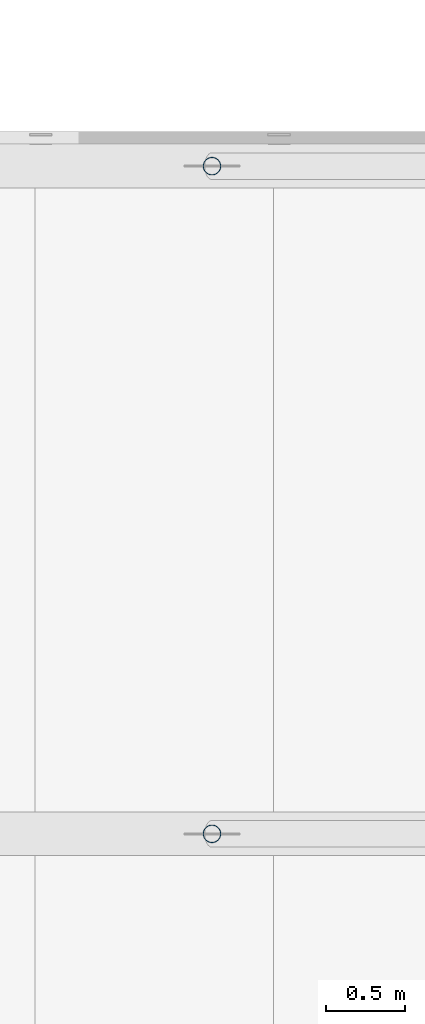
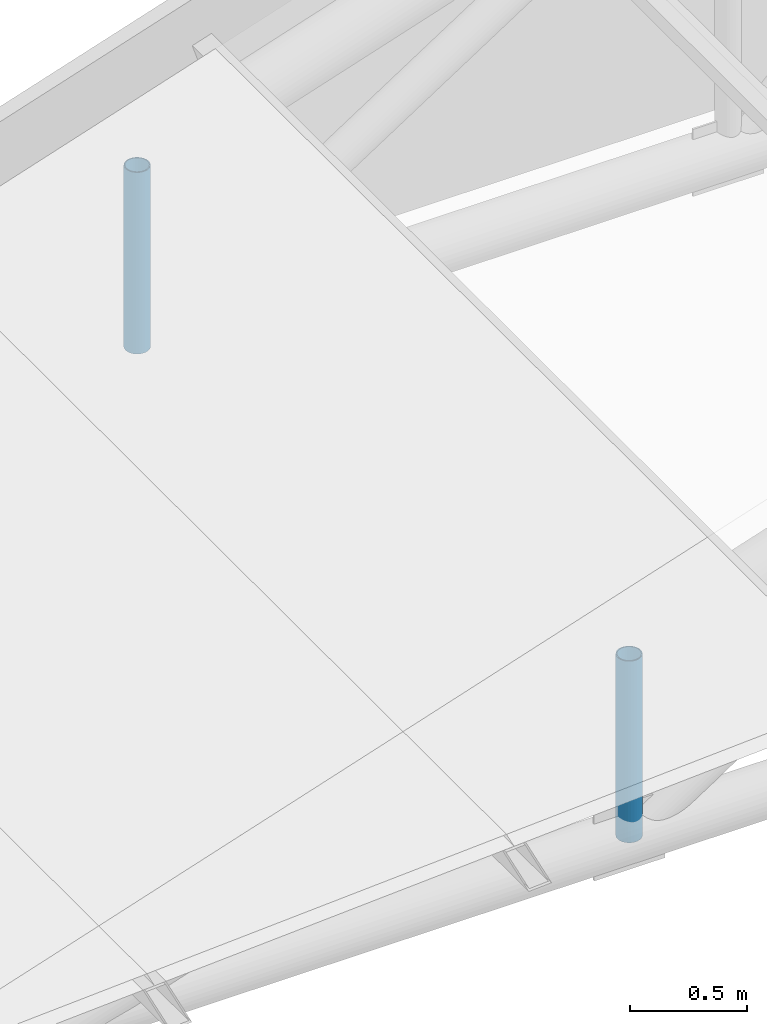
# One storey, part 66 of 95: 2 members.
"""IFC4 building model written with IfcOpenShell, lengths in metres."""

from ifc_helpers import new_model, si_unit, direction, frame, origin, origin_2d, place, context, subcontext, project, spatial, hollow_circle, extrude, material, material_profile, profile_set, type_object, element, save


model = new_model("IFC4")

# Units and contexts
model_context = context("Model", 3, precision=1e-05, world=origin(), true_north=direction((0.0, 1.0)))
body_context = subcontext(model_context, "Body", "Model", "MODEL_VIEW")
ifc_project = project(units=[si_unit("LENGTHUNIT", "METRE"), si_unit("AREAUNIT", "SQUARE_METRE"), si_unit("VOLUMEUNIT", "CUBIC_METRE"), si_unit("PLANEANGLEUNIT", "RADIAN"), si_unit("MASSUNIT", "GRAM", prefix="KILO")], contexts=[model_context])

# Site, building, storey
site_placement = place(None, origin())
site = spatial("IfcSite", under=ifc_project, at=site_placement, CompositionType="ELEMENT")
building_placement = place(site_placement, origin())
building = spatial("IfcBuilding", under=site, at=building_placement, Name="Kiln Court Media Centre", CompositionType="ELEMENT")
storey_placement = place(building_placement, frame((0.0, 0.0, 24.60009765625)))
storey = spatial("IfcBuildingStorey", under=building, at=storey_placement, Name="L05", CompositionType="ELEMENT", Elevation=24.60009765625)

# Members
ifc_material = material(Name="Steel ASTM A500 Gr C", Category="steel")
ifc_material_profile = material_profile(ifc_material, hollow_circle(Radius=0.05712890625, WallThickness=0.0048828125, at=origin_2d()), Name="CHS 114.3x5.0")
ifc_profile_set = profile_set([ifc_material_profile], Name="Steel ASTM A500 Gr C")
member_type = type_object("IfcMemberType", Name="Steel ASTM A500 Gr C CHS 114.3x5.0 truss web", PredefinedType="BRACE", material=ifc_profile_set)
for number, where, z_axis, x_axis, name in (
    (1, (37.66259765625, 63.0, -0.013916015625), (0.0, 0.0, 1.0), (1.0, 0.0, 0.0), "foyer truss FT-10 post 1 truss web"),
    (2, (37.66259765625, 67.199951171875, -0.013916015625), (0.0, 0.0, 1.0), (1.0, 0.0, 0.0), "foyer truss FT-11 post 1 truss web"),
):
    element("IfcMember", number, at=place(storey_placement, frame(where, z_axis=z_axis, x_axis=x_axis)), inside=storey, type_object=member_type, Name=name, PredefinedType="BRACE", context=body_context, shape_type="SweptSolid", body=[
        extrude(hollow_circle(Radius=0.05712890625, WallThickness=0.0048828125, at=origin_2d()), origin(), (0.0, 0.0, 1.0), 0.946533203125),
    ])

save(model, "model.ifc")
